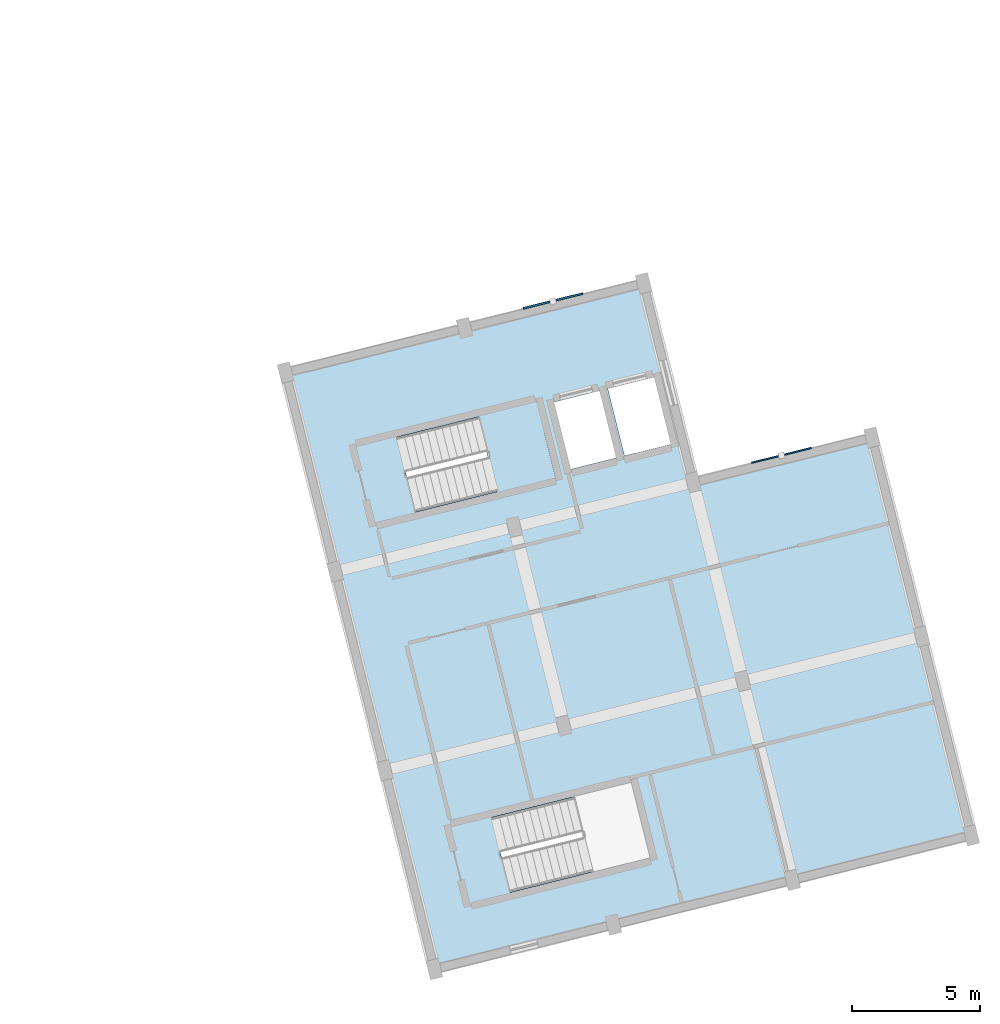
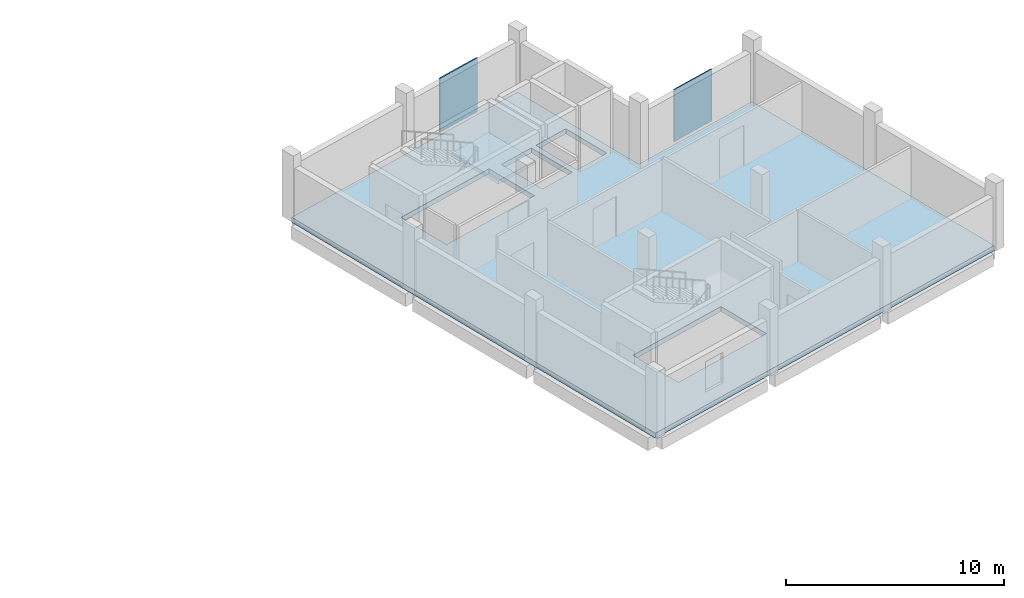
# One storey, part 2 of 8: 2 plates, 2 slabs, 1 element without a shape of its own.
"""IFC4 building model written with IfcOpenShell, lengths in metres."""

from ifc_helpers import new_model, si_unit, direction, frame, origin, origin_2d, place, context, subcontext, project, spatial, polyline, rectangle, outline, extrude, material, layer, layer_set, type_object, element, aggregate, save


model = new_model("IFC4")

# Units and contexts
model_context = context("Model", 3, precision=1e-05, world=origin(), true_north=direction((0.0, 1.0)))
body_context = subcontext(model_context, "Body", "Model", "MODEL_VIEW")
ifc_project = project(units=[si_unit("LENGTHUNIT", "METRE"), si_unit("AREAUNIT", "SQUARE_METRE"), si_unit("VOLUMEUNIT", "CUBIC_METRE"), si_unit("PLANEANGLEUNIT", "RADIAN"), si_unit("MASSUNIT", "GRAM", prefix="KILO")], contexts=[model_context])

# Site, building, storey
site_placement = place(None, origin())
site = spatial("IfcSite", under=ifc_project, at=site_placement, CompositionType="ELEMENT")
building_placement = place(site_placement, origin())
building = spatial("IfcBuilding", under=site, at=building_placement, Name="Mawjan Specialist Oncology Clinic", CompositionType="ELEMENT")
storey_placement = place(building_placement, frame((0.0, 0.0, 21.5)))
storey = spatial("IfcBuildingStorey", under=building, at=storey_placement, Name="L05", CompositionType="ELEMENT", Elevation=21.5)

# Slab
ifc_material_1 = material(Name="Concrete C35/45", Category="concrete")
ifc_layer_1 = layer(ifc_material_1, 0.280029296875, Name="Concrete C35/45", Category="concrete")
ifc_layer_set_1 = layer_set([ifc_layer_1], Name="Concrete C35/45")
slab_type_1 = type_object("IfcSlabType", Name="FS-280R", PredefinedType="FLOOR", material=ifc_layer_set_1)
slab_1_placement = place(storey_placement, frame((0.0, 0.0, -0.280029296875)))
element("IfcSlab", 1, at=slab_1_placement, inside=storey, type_object=slab_type_1, Name="L05 Research and Teaching Wing Slab SLB-V6-L05", PredefinedType="FLOOR", context=body_context, shape_type="SweptSolid", body=[
    extrude(outline(polyline([(126.0, 0.800048828125), (146.95849609375, 6.025634765625), (143.087646484375, 21.55029296875), (136.1015625, 19.808349609375), (134.166015625, 27.57080078125), (120.19384765625, 24.087158203125), (126.0, 0.800048828125)]), holes=[polyline([(125.259521484375, 18.651123046875), (130.693115234375, 20.005859375), (129.96728515625, 22.916748046875), (124.53369140625, 21.56201171875), (125.259521484375, 18.651123046875)]), polyline([(131.28759765625, 20.30859375), (133.131103515625, 20.768310546875), (132.477783203125, 23.38818359375), (130.63427734375, 22.928466796875), (131.28759765625, 20.30859375)]), polyline([(133.422119140625, 20.8408203125), (135.265625, 21.300537109375), (134.612548828125, 23.92041015625), (132.76904296875, 23.460693359375), (133.422119140625, 20.8408203125)]), polyline([(128.9609375, 3.8056640625), (134.39453125, 5.160400390625), (133.668701171875, 8.0712890625), (128.235107421875, 6.716552734375), (128.9609375, 3.8056640625)])]), origin(), (0.0, 0.0, 1.0), 0.280029296875),
])

# Stair, slab
ifc_material_2 = material(Name="Concrete C35/45", Category="concrete")
stair_type = type_object("IfcStairType", Name="STR-CORE40", PredefinedType="HALF_TURN_STAIR", material=ifc_material_2)
stair_placement = place(storey_placement, origin())
stair = element("IfcStair", 2, at=stair_placement, inside=storey, type_object=stair_type, Name="L05 Exit Stair ST-05", PredefinedType="HALF_TURN_STAIR")
ifc_material_3 = material(Name="Concrete C35/45", Category="concrete")
ifc_layer_2 = layer(ifc_material_3, 0.199951171875, Name="Concrete C35/45", Category="concrete")
ifc_layer_set_2 = layer_set([ifc_layer_2], Name="Concrete C35/45")
slab_type_2 = type_object("IfcSlabType", Name="LND-200", PredefinedType="LANDING", material=ifc_layer_set_2)
slab_2_placement = place(storey_placement, frame((0.0, 0.0, 1.800048828125)))
slab_2 = element("IfcSlab", 3, at=slab_2_placement, type_object=slab_type_2, Name="ST-05 landing 1", PredefinedType="LANDING", context=body_context, shape_type="SweptSolid", body=[
    extrude(outline(polyline([(128.4375, 19.394287109375), (130.739990234375, 19.968505859375), (129.9912109375, 22.9716796875), (127.688720703125, 22.397705078125), (128.4375, 19.394287109375)])), origin(), (0.0, 0.0, 1.0), 0.199951171875),
])
aggregate(stair, [slab_2])

# Plates
ifc_material_4 = material(Name="Perforated coral-toned GFRC rawshan screen", Category="stone")
ifc_layer_3 = layer(ifc_material_4, 0.06005859375, Name="Perforated coral-toned GFRC rawshan screen", Category="stone")
ifc_layer_set_3 = layer_set([ifc_layer_3], Name="Perforated coral-toned GFRC rawshan screen")
plate_type_1 = type_object("IfcPlateType", Name="RWS-60", PredefinedType="SHEET", material=ifc_layer_set_3)
plate_1_placement = place(storey_placement, frame((139.550537109375, 20.85595703125, 0.0), z_axis=(0.0, 0.0, 1.0), x_axis=(0.970295726276, 0.2419218956, 0.0)))
element("IfcPlate", 4, at=plate_1_placement, inside=storey, type_object=plate_type_1, Name="L05 Perforated Rawshan Screen Panel 014", PredefinedType="SHEET", context=body_context, shape_type="SweptSolid", body=[
    extrude(rectangle(XDim=2.39990234375, YDim=0.06005859375, at=origin_2d()), origin(), (0.0, 0.0, 1.0), 2.905029296875),
])
ifc_material_5 = material(Name="Perforated coral-toned GFRC rawshan screen", Category="stone")
ifc_layer_4 = layer(ifc_material_5, 0.074951171875, Name="Perforated coral-toned GFRC rawshan screen", Category="stone")
ifc_layer_set_4 = layer_set([ifc_layer_4], Name="Perforated coral-toned GFRC rawshan screen")
plate_type_2 = type_object("IfcPlateType", Name="RWS-75", PredefinedType="SHEET", material=ifc_layer_set_4)
plate_2_placement = place(storey_placement, frame((130.627197265625, 26.8837890625, 0.0), z_axis=(0.0, 0.0, 1.0), x_axis=(0.970295726276, 0.2419218956, 0.0)))
element("IfcPlate", 5, at=plate_2_placement, inside=storey, type_object=plate_type_2, Name="L05 Perforated Rawshan Screen Panel 015", PredefinedType="SHEET", context=body_context, shape_type="SweptSolid", body=[
    extrude(rectangle(XDim=2.39990234375, YDim=0.074951171875, at=origin_2d()), origin(), (0.0, 0.0, 1.0), 3.0048828125),
])

save(model, "model.ifc")
